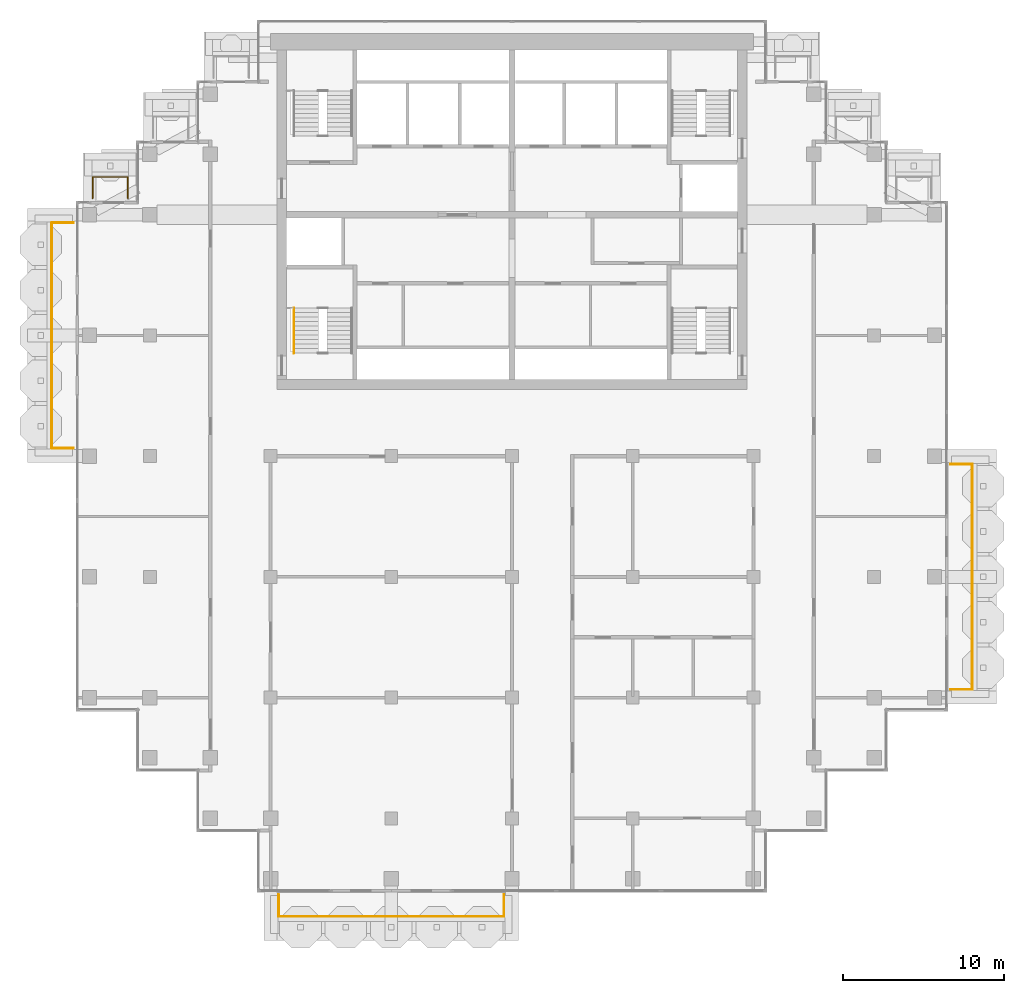
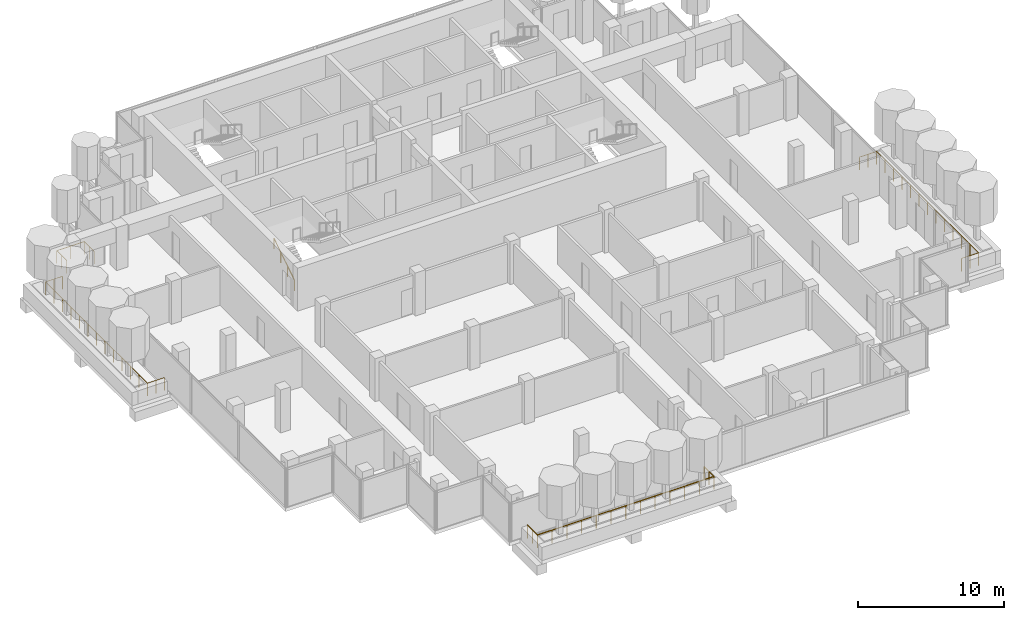
# One storey, part 16 of 18: 5 railings.
"""IFC4 building model written with IfcOpenShell, lengths in metres."""

import ifcopenshell
import ifcopenshell.guid

model = None  # the IFC model being written
_history = None  # IfcOwnerHistory: only IFC2X3 demands one
_inside = {}  # id of a spatial element -> (the spatial element, [elements in it])
_under = {}  # id of a project, library or spatial element -> (it, [spatial elements below it])
_declared = {}  # id of a project -> (the project, [libraries it declares])
_typed = {}  # id of a type object -> (the type object, [elements of that type])
_made_of = {}  # id of a material, layer set ... -> (it, [elements and type objects made of it])


def new_model(schema):
    """Start an empty IFC model of exactly this schema.

    Asked for "IFC4X3", IfcOpenShell would pick the latest addendum, in which some entities
    have other attributes; the version numbers below select the first issue.
    IFC2X3 requires an IfcOwnerHistory on every rooted entity: one is made here for all.
    """
    global model, _history
    if schema == "IFC4X3":
        model = ifcopenshell.file(schema_version=(4, 3, 0, 0))
    else:
        model = ifcopenshell.file(schema=schema)
    _inside.clear()
    _under.clear()
    _declared.clear()
    _typed.clear()
    _made_of.clear()
    _history = None
    if model.schema == "IFC2X3":
        org = make("IfcOrganization", Name="unknown")
        user = make(
            "IfcPersonAndOrganization",
            ThePerson=make("IfcPerson", FamilyName="unknown"),
            TheOrganization=org,
        )
        app = make(
            "IfcApplication",
            ApplicationDeveloper=org,
            Version="unknown",
            ApplicationFullName="unknown",
            ApplicationIdentifier="unknown",
        )
        _history = make(
            "IfcOwnerHistory",
            OwningUser=user,
            OwningApplication=app,
            ChangeAction="ADDED",
            CreationDate=0,
        )
    return model


def make(cls, **values):
    """One entity of the class cls with the attributes given. An attribute that is None is left unset."""
    return model.create_entity(
        cls, **{name: value for name, value in values.items() if value is not None}
    )


def rooted(cls, **values):
    """An entity with a GlobalId (a new one), such as an element, a storey or a relation."""
    return make(cls, GlobalId=ifcopenshell.guid.new(), OwnerHistory=_history, **values)


def si_unit(unit_type, name, prefix=None):
    """IfcSIUnit, for example si_unit("LENGTHUNIT", "METRE", prefix="MILLI")."""
    return make("IfcSIUnit", UnitType=unit_type, Prefix=prefix, Name=name)


def assignment(units):
    """IfcUnitAssignment: the units of a project."""
    return None if units is None else make("IfcUnitAssignment", Units=units)


def point(xyz):
    """IfcCartesianPoint."""
    return None if xyz is None else make("IfcCartesianPoint", Coordinates=xyz)


def direction(xyz):
    """IfcDirection."""
    return None if xyz is None else make("IfcDirection", DirectionRatios=xyz)


def frame(location, z_axis=None, x_axis=None):
    """IfcAxis2Placement3D, a coordinate frame: its origin and axes. An axis left out is left unset."""
    return make(
        "IfcAxis2Placement3D",
        Location=point(location),
        Axis=direction(z_axis),
        RefDirection=direction(x_axis),
    )


def frame_2d(location, x_axis=None):
    """IfcAxis2Placement2D, a coordinate frame in the plane: its origin and x axis."""
    return make(
        "IfcAxis2Placement2D", Location=point(location), RefDirection=direction(x_axis)
    )


def origin():
    """The frame at (0, 0, 0) with its axes left unset."""
    return frame((0.0, 0.0, 0.0))


def origin_2d():
    """The frame at (0, 0) in the plane with its x axis left unset."""
    return frame_2d((0.0, 0.0))


def place(relative_to, where):
    """IfcLocalPlacement: puts the frame where relative to a parent placement (None: the world)."""
    return make(
        "IfcLocalPlacement", PlacementRelTo=relative_to, RelativePlacement=where
    )


def context(
    kind, dimensions, precision=None, world=None, true_north=None, identifier=None
):
    """IfcGeometricRepresentationContext, for example the 3D "Model" context."""
    return make(
        "IfcGeometricRepresentationContext",
        ContextIdentifier=identifier,
        ContextType=kind,
        CoordinateSpaceDimension=dimensions,
        Precision=precision,
        WorldCoordinateSystem=world,
        TrueNorth=true_north,
    )


def subcontext(parent, identifier, kind, view, scale=None):
    """IfcGeometricRepresentationSubContext, for example "Body" below "Model"."""
    return make(
        "IfcGeometricRepresentationSubContext",
        ContextIdentifier=identifier,
        ContextType=kind,
        ParentContext=parent,
        TargetScale=scale,
        TargetView=view,
    )


def project(units=None, contexts=None):
    """IfcProject with its units and contexts."""
    return rooted(
        "IfcProject",
        Name="project",
        RepresentationContexts=contexts,
        UnitsInContext=assignment(units),
    )


def spatial(cls, under=None, at=None, **own):
    """A site, building, storey or space (cls), placed at a placement, below another one or the project."""
    s = rooted(cls, ObjectPlacement=at, **own)
    if under is not None:
        _under.setdefault(under.id(), (under, []))[1].append(s)
    return s


def profile(cls, at=None, kind="AREA", **sizes):
    """A parametric profile (cls). Its sizes go by their IFC names, for example OverallWidth=200.0."""
    return make(cls, ProfileType=kind, Position=at, **sizes)


def circle(**sizes):
    """IfcCircleProfileDef."""
    return profile("IfcCircleProfileDef", **sizes)


def extrude(swept, where, along, depth):
    """IfcExtrudedAreaSolid: the profile swept, set in the frame where, extruded along a direction by depth."""
    return make(
        "IfcExtrudedAreaSolid",
        SweptArea=swept,
        Position=where,
        ExtrudedDirection=direction(along),
        Depth=depth,
    )


def shape(context_of_items, identifier, shape_type, items):
    """IfcShapeRepresentation: the items that make up one representation, for example the "Body"."""
    return make(
        "IfcShapeRepresentation",
        ContextOfItems=context_of_items,
        RepresentationIdentifier=identifier,
        RepresentationType=shape_type,
        Items=items,
    )


def material(Name=None, Category=None):
    """IfcMaterial."""
    return make("IfcMaterial", Name=Name, Category=Category)


def made_of(thing, what):
    """Note that an element or type object is made of a material, layer set ...; save() writes the relation."""
    if what is not None:
        _made_of.setdefault(what.id(), (what, []))[1].append(thing)
    return thing


def type_object(cls, material=None, **own):
    """A type object (cls), such as IfcWallType, which elements share."""
    return made_of(rooted(cls, **own), material)


def element(
    cls,
    number,
    at=None,
    inside=None,
    cuts=None,
    type_object=None,
    material=None,
    context=None,
    identifier="Body",
    shape_type=None,
    held_by="IfcProductDefinitionShape",
    body=None,
    shapes=None,
    **own,
):
    """One element of the class cls, such as IfcWall. Its Tag is "e" and its number.

    at: its placement. inside: the storey or other place that contains it. cuts: it is an
    opening in that element (IfcRelVoidsElement). A single representation is given by context,
    identifier, shape_type and body (its items); several are given by shapes. held_by: the class
    of the entity that holds the representations. save() writes the other relations.
    """
    e = rooted(cls, Tag="e%d" % number, ObjectPlacement=at, **own)
    if body is not None:
        shapes = [shape(context, identifier, shape_type, body)]
    if shapes is not None:
        e.Representation = make(held_by, Representations=shapes)
    if inside is not None:
        _inside.setdefault(inside.id(), (inside, []))[1].append(e)
    if cuts is not None:
        rooted(
            "IfcRelVoidsElement", RelatingBuildingElement=cuts, RelatedOpeningElement=e
        )
    if type_object is not None:
        _typed.setdefault(type_object.id(), (type_object, []))[1].append(e)
    return made_of(e, material)


def aggregate(whole, parts):
    """IfcRelAggregates: a whole, such as a stair, and the parts it consists of."""
    return rooted("IfcRelAggregates", RelatingObject=whole, RelatedObjects=parts)


def save(model, path):
    """Write the relations noted so far, then the file.

    IfcRelAggregates (storeys below a building ...), IfcRelContainedInSpatialStructure (elements
    in a storey), IfcRelDefinesByType, IfcRelAssociatesMaterial and IfcRelDeclares: one each for
    every whole, place, type object, material and project.
    """
    for whole, parts in _under.values():
        aggregate(whole, parts)
    for where, things in _inside.values():
        rooted(
            "IfcRelContainedInSpatialStructure",
            RelatedElements=things,
            RelatingStructure=where,
        )
    for kind, things in _typed.values():
        rooted("IfcRelDefinesByType", RelatedObjects=things, RelatingType=kind)
    for what, things in _made_of.values():
        rooted("IfcRelAssociatesMaterial", RelatedObjects=things, RelatingMaterial=what)
    for by, libraries in _declared.values():
        rooted("IfcRelDeclares", RelatingContext=by, RelatedDefinitions=libraries)
    model.write(path)


model = new_model("IFC4")

# Units and contexts
model_context = context("Model", 3, precision=1e-05, world=origin(), true_north=direction((0.0, 1.0)))
body_context = subcontext(model_context, "Body", "Model", "MODEL_VIEW")
ifc_project = project(units=[si_unit("LENGTHUNIT", "METRE"), si_unit("AREAUNIT", "SQUARE_METRE"), si_unit("VOLUMEUNIT", "CUBIC_METRE"), si_unit("PLANEANGLEUNIT", "RADIAN"), si_unit("MASSUNIT", "GRAM", prefix="KILO")], contexts=[model_context])

# Site, building, storey
site_placement = place(None, origin())
site = spatial("IfcSite", under=ifc_project, at=site_placement, CompositionType="ELEMENT")
building_placement = place(site_placement, origin())
building = spatial("IfcBuilding", under=site, at=building_placement, Name="Pilkhan Gate Tower", CompositionType="ELEMENT")
storey_placement = place(building_placement, frame((0.0, 0.0, 249.89990234375)))
storey = spatial("IfcBuildingStorey", under=building, at=storey_placement, Name="L65", CompositionType="ELEMENT", Elevation=249.89990234375)

# Railings
ifc_material_1 = material(Name="Pale anodised aluminium posts, laminated glass infill", Category="aluminium")
railing_type_1 = type_object("IfcRailingType", Name="Balcony guard G1", PredefinedType="BALUSTRADE", material=ifc_material_1)
railing_1_placement = place(storey_placement, frame((60.5, 40.25, 0.0)))
element("IfcRailing", 1, at=railing_1_placement, inside=storey, type_object=railing_type_1, Name="Balcony guard L65 S", PredefinedType="BALUSTRADE", context=body_context, shape_type="SweptSolid", body=[
    extrude(circle(Radius=0.02392578125, at=origin_2d()), frame((0.0, 0.0, 1.076171875), z_axis=(0.0, -1.0, 0.0), x_axis=(1.0, 0.0, 0.0)), (0.0, 0.0, 1.0), 1.35009765625),
    extrude(circle(Radius=0.02392578125, at=origin_2d()), frame((0.0, -1.35009765625, 1.076171875), z_axis=(1.0, 0.0, 0.0), x_axis=(0.0, 1.0, 0.0)), (0.0, 0.0, 1.0), 14.0),
    extrude(circle(Radius=0.02392578125, at=origin_2d()), frame((14.0, -1.35009765625, 1.076171875), z_axis=(0.0, 1.0, 0.0), x_axis=(-1.0, 0.0, 0.0)), (0.0, 0.0, 1.0), 1.35009765625),
    extrude(circle(Radius=0.02099609375, at=origin_2d()), origin(), (0.0, 0.0, 1.0), 1.052001953125),
    extrude(circle(Radius=0.02099609375, at=origin_2d()), frame((0.0, -0.675048828125, 0.0)), (0.0, 0.0, 1.0), 1.052001953125),
    extrude(circle(Radius=0.02099609375, at=origin_2d()), frame((0.0, -1.35009765625, 0.0)), (0.0, 0.0, 1.0), 1.052001953125),
    extrude(circle(Radius=0.02099609375, at=origin_2d()), frame((1.166748046875, -1.35009765625, 0.0)), (0.0, 0.0, 1.0), 1.052001953125),
    extrude(circle(Radius=0.02099609375, at=origin_2d()), frame((2.333251953125, -1.35009765625, 0.0)), (0.0, 0.0, 1.0), 1.052001953125),
    extrude(circle(Radius=0.02099609375, at=origin_2d()), frame((3.5, -1.35009765625, 0.0)), (0.0, 0.0, 1.0), 1.052001953125),
    extrude(circle(Radius=0.02099609375, at=origin_2d()), frame((4.666748046875, -1.35009765625, 0.0)), (0.0, 0.0, 1.0), 1.052001953125),
    extrude(circle(Radius=0.02099609375, at=origin_2d()), frame((5.833251953125, -1.35009765625, 0.0)), (0.0, 0.0, 1.0), 1.052001953125),
    extrude(circle(Radius=0.02099609375, at=origin_2d()), frame((7.0, -1.35009765625, 0.0)), (0.0, 0.0, 1.0), 1.052001953125),
    extrude(circle(Radius=0.02099609375, at=origin_2d()), frame((8.166748046875, -1.35009765625, 0.0)), (0.0, 0.0, 1.0), 1.052001953125),
    extrude(circle(Radius=0.02099609375, at=origin_2d()), frame((9.333251953125, -1.35009765625, 0.0)), (0.0, 0.0, 1.0), 1.052001953125),
    extrude(circle(Radius=0.02099609375, at=origin_2d()), frame((10.5, -1.35009765625, 0.0)), (0.0, 0.0, 1.0), 1.052001953125),
    extrude(circle(Radius=0.02099609375, at=origin_2d()), frame((11.666748046875, -1.35009765625, 0.0)), (0.0, 0.0, 1.0), 1.052001953125),
    extrude(circle(Radius=0.02099609375, at=origin_2d()), frame((12.833251953125, -1.35009765625, 0.0)), (0.0, 0.0, 1.0), 1.052001953125),
    extrude(circle(Radius=0.02099609375, at=origin_2d()), frame((14.0, -1.35009765625, 0.0)), (0.0, 0.0, 1.0), 1.052001953125),
    extrude(circle(Radius=0.02099609375, at=origin_2d()), frame((14.0, -0.675048828125, 0.0)), (0.0, 0.0, 1.0), 1.052001953125),
    extrude(circle(Radius=0.02099609375, at=origin_2d()), frame((14.0, 0.0, 0.0)), (0.0, 0.0, 1.0), 1.052001953125),
])
railing_2_placement = place(storey_placement, frame((102.25, 53.0, 0.0)))
element("IfcRailing", 2, at=railing_2_placement, inside=storey, type_object=railing_type_1, Name="Balcony guard L65 E", PredefinedType="BALUSTRADE", context=body_context, shape_type="SweptSolid", body=[
    extrude(circle(Radius=0.02392578125, at=origin_2d()), frame((0.0, 0.0, 1.076171875), z_axis=(1.0, 0.0, 0.0), x_axis=(0.0, 1.0, 0.0)), (0.0, 0.0, 1.0), 1.35009765625),
    extrude(circle(Radius=0.02392578125, at=origin_2d()), frame((1.35009765625, 0.0, 1.076171875), z_axis=(0.0, 1.0, 0.0), x_axis=(-1.0, 0.0, 0.0)), (0.0, 0.0, 1.0), 14.0),
    extrude(circle(Radius=0.02392578125, at=origin_2d()), frame((1.35009765625, 14.0, 1.076171875), z_axis=(-1.0, 0.0, 0.0), x_axis=(0.0, -1.0, 0.0)), (0.0, 0.0, 1.0), 1.35009765625),
    extrude(circle(Radius=0.02099609375, at=origin_2d()), origin(), (0.0, 0.0, 1.0), 1.052001953125),
    extrude(circle(Radius=0.02099609375, at=origin_2d()), frame((0.675048828125, 0.0, 0.0)), (0.0, 0.0, 1.0), 1.052001953125),
    extrude(circle(Radius=0.02099609375, at=origin_2d()), frame((1.35009765625, 0.0, 0.0)), (0.0, 0.0, 1.0), 1.052001953125),
    extrude(circle(Radius=0.02099609375, at=origin_2d()), frame((1.35009765625, 1.166748046875, 0.0)), (0.0, 0.0, 1.0), 1.052001953125),
    extrude(circle(Radius=0.02099609375, at=origin_2d()), frame((1.35009765625, 2.333251953125, 0.0)), (0.0, 0.0, 1.0), 1.052001953125),
    extrude(circle(Radius=0.02099609375, at=origin_2d()), frame((1.35009765625, 3.5, 0.0)), (0.0, 0.0, 1.0), 1.052001953125),
    extrude(circle(Radius=0.02099609375, at=origin_2d()), frame((1.35009765625, 4.666748046875, 0.0)), (0.0, 0.0, 1.0), 1.052001953125),
    extrude(circle(Radius=0.02099609375, at=origin_2d()), frame((1.35009765625, 5.833251953125, 0.0)), (0.0, 0.0, 1.0), 1.052001953125),
    extrude(circle(Radius=0.02099609375, at=origin_2d()), frame((1.35009765625, 7.0, 0.0)), (0.0, 0.0, 1.0), 1.052001953125),
    extrude(circle(Radius=0.02099609375, at=origin_2d()), frame((1.35009765625, 8.166748046875, 0.0)), (0.0, 0.0, 1.0), 1.052001953125),
    extrude(circle(Radius=0.02099609375, at=origin_2d()), frame((1.35009765625, 9.333251953125, 0.0)), (0.0, 0.0, 1.0), 1.052001953125),
    extrude(circle(Radius=0.02099609375, at=origin_2d()), frame((1.35009765625, 10.5, 0.0)), (0.0, 0.0, 1.0), 1.052001953125),
    extrude(circle(Radius=0.02099609375, at=origin_2d()), frame((1.35009765625, 11.666748046875, 0.0)), (0.0, 0.0, 1.0), 1.052001953125),
    extrude(circle(Radius=0.02099609375, at=origin_2d()), frame((1.35009765625, 12.833251953125, 0.0)), (0.0, 0.0, 1.0), 1.052001953125),
    extrude(circle(Radius=0.02099609375, at=origin_2d()), frame((1.35009765625, 14.0, 0.0)), (0.0, 0.0, 1.0), 1.052001953125),
    extrude(circle(Radius=0.02099609375, at=origin_2d()), frame((0.675048828125, 14.0, 0.0)), (0.0, 0.0, 1.0), 1.052001953125),
    extrude(circle(Radius=0.02099609375, at=origin_2d()), frame((0.0, 14.0, 0.0)), (0.0, 0.0, 1.0), 1.052001953125),
])
railing_3_placement = place(storey_placement, frame((48.949951171875, 83.52001953125, 0.0)))
element("IfcRailing", 3, at=railing_3_placement, inside=storey, type_object=railing_type_1, Name="Balcony guard L65 N", PredefinedType="BALUSTRADE", context=body_context, shape_type="SweptSolid", body=[
    extrude(circle(Radius=0.02392578125, at=origin_2d()), frame((0.0, 0.0, 1.076171875), z_axis=(0.0, 1.0, 0.0), x_axis=(-1.0, 0.0, 0.0)), (0.0, 0.0, 1.0), 1.330078125),
    extrude(circle(Radius=0.02392578125, at=origin_2d()), frame((0.0, 1.330078125, 1.076171875), z_axis=(1.0, 0.0, 0.0), x_axis=(0.0, 1.0, 0.0)), (0.0, 0.0, 1.0), 2.179931640625),
    extrude(circle(Radius=0.02392578125, at=origin_2d()), frame((2.179931640625, 1.330078125, 1.076171875), z_axis=(0.0, -1.0, 0.0), x_axis=(1.0, 0.0, 0.0)), (0.0, 0.0, 1.0), 1.330078125),
    extrude(circle(Radius=0.02099609375, at=origin_2d()), origin(), (0.0, 0.0, 1.0), 1.052001953125),
    extrude(circle(Radius=0.02099609375, at=origin_2d()), frame((0.0, 0.6650390625, 0.0)), (0.0, 0.0, 1.0), 1.052001953125),
    extrude(circle(Radius=0.02099609375, at=origin_2d()), frame((0.0, 1.330078125, 0.0)), (0.0, 0.0, 1.0), 1.052001953125),
    extrude(circle(Radius=0.02099609375, at=origin_2d()), frame((1.08984375, 1.330078125, 0.0)), (0.0, 0.0, 1.0), 1.052001953125),
    extrude(circle(Radius=0.02099609375, at=origin_2d()), frame((2.179931640625, 1.330078125, 0.0)), (0.0, 0.0, 1.0), 1.052001953125),
    extrude(circle(Radius=0.02099609375, at=origin_2d()), frame((2.179931640625, 0.6650390625, 0.0)), (0.0, 0.0, 1.0), 1.052001953125),
    extrude(circle(Radius=0.02099609375, at=origin_2d()), frame((2.179931640625, 0.0, 0.0)), (0.0, 0.0, 1.0), 1.052001953125),
])
railing_4_placement = place(storey_placement, frame((47.75, 68.0, 0.0)))
element("IfcRailing", 4, at=railing_4_placement, inside=storey, type_object=railing_type_1, Name="Balcony guard L65 W", PredefinedType="BALUSTRADE", context=body_context, shape_type="SweptSolid", body=[
    extrude(circle(Radius=0.02392578125, at=origin_2d()), frame((0.0, 0.0, 1.076171875), z_axis=(-1.0, 0.0, 0.0), x_axis=(0.0, -1.0, 0.0)), (0.0, 0.0, 1.0), 1.35009765625),
    extrude(circle(Radius=0.02392578125, at=origin_2d()), frame((-1.35009765625, 0.0, 1.076171875), z_axis=(0.0, 1.0, 0.0), x_axis=(-1.0, 0.0, 0.0)), (0.0, 0.0, 1.0), 14.0),
    extrude(circle(Radius=0.02392578125, at=origin_2d()), frame((-1.35009765625, 14.0, 1.076171875), z_axis=(1.0, 0.0, 0.0), x_axis=(0.0, 1.0, 0.0)), (0.0, 0.0, 1.0), 1.35009765625),
    extrude(circle(Radius=0.02099609375, at=origin_2d()), origin(), (0.0, 0.0, 1.0), 1.052001953125),
    extrude(circle(Radius=0.02099609375, at=origin_2d()), frame((-0.675048828125, 0.0, 0.0)), (0.0, 0.0, 1.0), 1.052001953125),
    extrude(circle(Radius=0.02099609375, at=origin_2d()), frame((-1.35009765625, 0.0, 0.0)), (0.0, 0.0, 1.0), 1.052001953125),
    extrude(circle(Radius=0.02099609375, at=origin_2d()), frame((-1.35009765625, 1.166748046875, 0.0)), (0.0, 0.0, 1.0), 1.052001953125),
    extrude(circle(Radius=0.02099609375, at=origin_2d()), frame((-1.35009765625, 2.333251953125, 0.0)), (0.0, 0.0, 1.0), 1.052001953125),
    extrude(circle(Radius=0.02099609375, at=origin_2d()), frame((-1.35009765625, 3.5, 0.0)), (0.0, 0.0, 1.0), 1.052001953125),
    extrude(circle(Radius=0.02099609375, at=origin_2d()), frame((-1.35009765625, 4.666748046875, 0.0)), (0.0, 0.0, 1.0), 1.052001953125),
    extrude(circle(Radius=0.02099609375, at=origin_2d()), frame((-1.35009765625, 5.833251953125, 0.0)), (0.0, 0.0, 1.0), 1.052001953125),
    extrude(circle(Radius=0.02099609375, at=origin_2d()), frame((-1.35009765625, 7.0, 0.0)), (0.0, 0.0, 1.0), 1.052001953125),
    extrude(circle(Radius=0.02099609375, at=origin_2d()), frame((-1.35009765625, 8.166748046875, 0.0)), (0.0, 0.0, 1.0), 1.052001953125),
    extrude(circle(Radius=0.02099609375, at=origin_2d()), frame((-1.35009765625, 9.333251953125, 0.0)), (0.0, 0.0, 1.0), 1.052001953125),
    extrude(circle(Radius=0.02099609375, at=origin_2d()), frame((-1.35009765625, 10.5, 0.0)), (0.0, 0.0, 1.0), 1.052001953125),
    extrude(circle(Radius=0.02099609375, at=origin_2d()), frame((-1.35009765625, 11.666748046875, 0.0)), (0.0, 0.0, 1.0), 1.052001953125),
    extrude(circle(Radius=0.02099609375, at=origin_2d()), frame((-1.35009765625, 12.833251953125, 0.0)), (0.0, 0.0, 1.0), 1.052001953125),
    extrude(circle(Radius=0.02099609375, at=origin_2d()), frame((-1.35009765625, 14.0, 0.0)), (0.0, 0.0, 1.0), 1.052001953125),
    extrude(circle(Radius=0.02099609375, at=origin_2d()), frame((-0.675048828125, 14.0, 0.0)), (0.0, 0.0, 1.0), 1.052001953125),
    extrude(circle(Radius=0.02099609375, at=origin_2d()), frame((0.0, 14.0, 0.0)), (0.0, 0.0, 1.0), 1.052001953125),
])
ifc_material_2 = material(Name="Black powder-coated steel tube", Category="steel")
railing_type_2 = type_object("IfcRailingType", Name="Stair handrail HR1", PredefinedType="HANDRAIL", material=ifc_material_2)
railing_5_placement = place(storey_placement, frame((61.449951171875, 73.89990234375, 0.0)))
element("IfcRailing", 5, at=railing_5_placement, inside=storey, type_object=railing_type_2, Name="Stair ST2 handrail L65", PredefinedType="HANDRAIL", context=body_context, shape_type="SweptSolid", body=[
    extrude(circle(Radius=0.02392578125, at=origin_2d()), frame((0.0, 0.0, 0.8759765625), z_axis=(0.0, 0.841176092368, 0.540761298198), x_axis=(-1.0, 0.0, 0.0)), (0.0, 0.0, 1.0), 3.32861328125),
    extrude(circle(Radius=0.02099609375, at=origin_2d()), origin(), (0.0, 0.0, 1.0), 0.851806640625),
    extrude(circle(Radius=0.02099609375, at=origin_2d()), frame((0.0, 0.933349609375, 0.60009765625)), (0.0, 0.0, 1.0), 0.851806640625),
    extrude(circle(Radius=0.02099609375, at=origin_2d()), frame((0.0, 1.86669921875, 1.199951171875)), (0.0, 0.0, 1.0), 0.851806640625),
    extrude(circle(Radius=0.02099609375, at=origin_2d()), frame((0.0, 2.800048828125, 1.800048828125)), (0.0, 0.0, 1.0), 0.851806640625),
])

save(model, "model.ifc")
